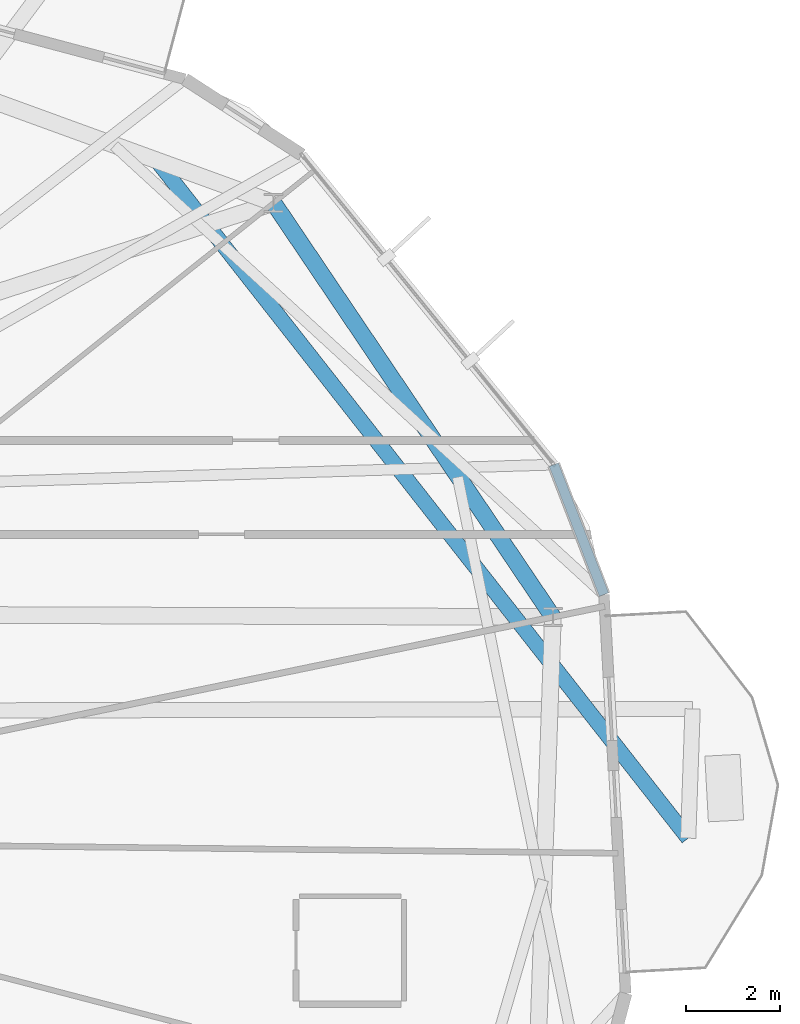
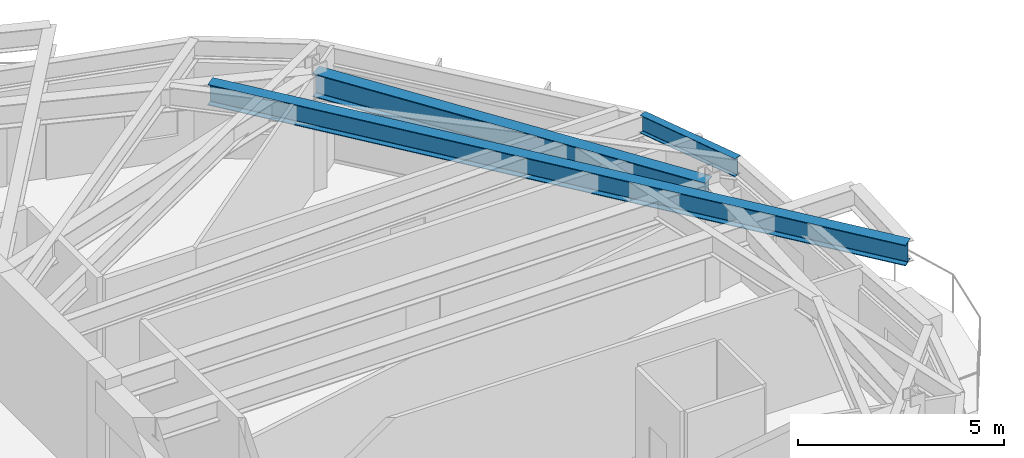
# One storey, part 15 of 26: 3 beams.
"""IFC4 building model written with IfcOpenShell, lengths in metres."""

from ifc_helpers import new_model, si_unit, direction, frame, origin, origin_2d, place, context, subcontext, project, spatial, i_section, extrude, material, material_profile, profile_set, type_object, element, save


model = new_model("IFC4")

# Units and contexts
model_context = context("Model", 3, precision=1e-05, world=origin(), true_north=direction((0.0, 1.0)))
body_context = subcontext(model_context, "Body", "Model", "MODEL_VIEW")
ifc_project = project(units=[si_unit("LENGTHUNIT", "METRE"), si_unit("AREAUNIT", "SQUARE_METRE"), si_unit("VOLUMEUNIT", "CUBIC_METRE"), si_unit("PLANEANGLEUNIT", "RADIAN"), si_unit("MASSUNIT", "GRAM", prefix="KILO")], contexts=[model_context])

# Site, building, storey
site_placement = place(None, origin())
site = spatial("IfcSite", under=ifc_project, at=site_placement, CompositionType="ELEMENT")
building_placement = place(site_placement, origin())
building = spatial("IfcBuilding", under=site, at=building_placement, Name="Soratama Intermodal Tower", CompositionType="ELEMENT")
storey_placement = place(building_placement, frame((0.0, 0.0, 242.5)))
storey = spatial("IfcBuildingStorey", under=building, at=storey_placement, Name="L61", CompositionType="ELEMENT", Elevation=242.5)

# Beams
ifc_material_1 = material(Name="Structural steel ASTM A992 Grade 50", Category="steel")
ifc_material_profile_1 = material_profile(ifc_material_1, i_section(OverallWidth=0.324951171875, OverallDepth=0.615966796875, WebThickness=0.013916015625, FlangeThickness=0.021484375, FilletRadius=0.013916015625, at=origin_2d()), Name="W24X117")
ifc_profile_set_1 = profile_set([ifc_material_profile_1], Name="Structural steel ASTM A992 Grade 50")
beam_type_1 = type_object("IfcBeamType", Name="BM-CANT-W24X117", PredefinedType="BEAM", material=ifc_profile_set_1)
beam_1_placement = place(storey_placement, frame((53.1259765625, 39.427978515625, 3.14208984375), z_axis=(0.617060860081, -0.786915430625, 0.0), x_axis=(0.786915430625, 0.617060860081, 0.0)))
element("IfcBeam", 1, at=beam_1_placement, inside=storey, type_object=beam_type_1, Name="BM-L61-CANT-1-1", PredefinedType="BEAM", context=body_context, shape_type="SweptSolid", body=[
    extrude(i_section(OverallWidth=0.324951171875, OverallDepth=0.615966796875, WebThickness=0.013916015625, FlangeThickness=0.021484375, FilletRadius=0.013916015625, at=origin_2d()), origin(), (0.0, 0.0, 1.0), 18.291748046875),
])
ifc_material_2 = material(Name="Structural steel ASTM A992 Grade 50", Category="steel")
ifc_material_profile_2 = material_profile(ifc_material_2, i_section(OverallWidth=0.35498046875, OverallDepth=0.695068359375, WebThickness=0.015380859375, FlangeThickness=0.02490234375, FilletRadius=0.01611328125, at=origin_2d()), Name="W27X146")
ifc_profile_set_2 = profile_set([ifc_material_profile_2], Name="Structural steel ASTM A992 Grade 50")
beam_type_2 = type_object("IfcBeamType", Name="BM-RING-W27X146", PredefinedType="BEAM", material=ifc_profile_set_2)
beam_2_placement = place(storey_placement, frame((61.533935546875, 29.740966796875, 3.1025390625), z_axis=(-0.559218025165, 0.829020627204, 0.0), x_axis=(-0.829020627204, -0.559218025165, 0.0)))
element("IfcBeam", 2, at=beam_2_placement, inside=storey, type_object=beam_type_2, Name="BM-L61-RING-01", PredefinedType="BEAM", context=body_context, shape_type="SweptSolid", body=[
    extrude(i_section(OverallWidth=0.35498046875, OverallDepth=0.695068359375, WebThickness=0.015380859375, FlangeThickness=0.02490234375, FilletRadius=0.01611328125, at=origin_2d()), origin(), (0.0, 0.0, 1.0), 10.630615234375),
])
ifc_material_3 = material(Name="Structural steel ASTM A992 Grade 50", Category="steel")
ifc_material_profile_3 = material_profile(ifc_material_3, i_section(OverallWidth=0.2099609375, OverallDepth=0.537109375, WebThickness=0.010986328125, FlangeThickness=0.017333984375, FilletRadius=0.012939453125, at=origin_2d()), Name="W21X68")
ifc_profile_set_3 = profile_set([ifc_material_profile_3], Name="Structural steel ASTM A992 Grade 50")
beam_type_3 = type_object("IfcBeamType", Name="BM-SPN-W21X68", PredefinedType="SPANDREL", material=ifc_profile_set_3)
beam_3_placement = place(storey_placement, frame((62.6220703125, 30.217041015625, 3.181396484375), z_axis=(-0.36042369383, 0.932788701114, 0.0), x_axis=(-0.932788701114, -0.36042369383, 0.0)))
element("IfcBeam", 3, at=beam_3_placement, inside=storey, type_object=beam_type_3, Name="BS-L61-CRN09", PredefinedType="SPANDREL", context=body_context, shape_type="SweptSolid", body=[
    extrude(i_section(OverallWidth=0.2099609375, OverallDepth=0.537109375, WebThickness=0.010986328125, FlangeThickness=0.017333984375, FilletRadius=0.012939453125, at=origin_2d()), origin(), (0.0, 0.0, 1.0), 2.96630859375),
])

save(model, "model.ifc")
